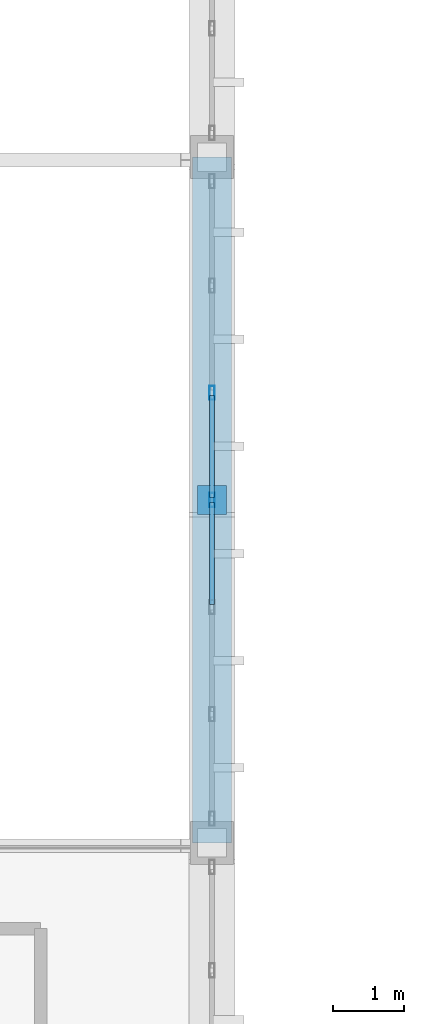
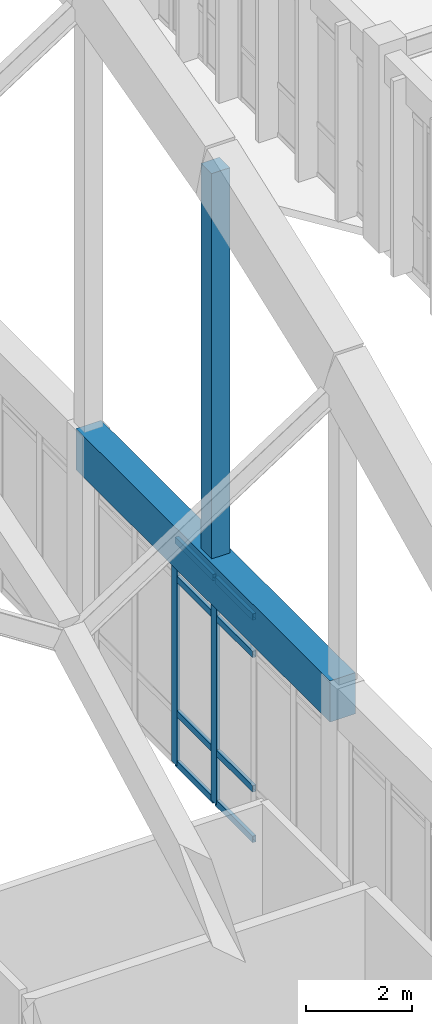
# One storey, part 130 of 236: 11 members, 1 beam, 1 element without a shape of its own.
"""IFC4 building model written with IfcOpenShell, lengths in metres."""

from ifc_helpers import new_model, si_unit, direction, frame, origin, origin_2d, place, context, subcontext, project, spatial, rectangle, hollow_rectangle, extrude, material, layer, layer_set, material_profile, profile_set, type_object, element, aggregate, save


model = new_model("IFC4")

# Units and contexts
model_context = context("Model", 3, precision=1e-05, world=origin(), true_north=direction((0.0, 1.0)))
body_context = subcontext(model_context, "Body", "Model", "MODEL_VIEW")
ifc_project = project(units=[si_unit("LENGTHUNIT", "METRE"), si_unit("AREAUNIT", "SQUARE_METRE"), si_unit("VOLUMEUNIT", "CUBIC_METRE"), si_unit("PLANEANGLEUNIT", "RADIAN"), si_unit("MASSUNIT", "GRAM", prefix="KILO")], contexts=[model_context])

# Site, building, storey
site_placement = place(None, origin())
site = spatial("IfcSite", under=ifc_project, at=site_placement, CompositionType="ELEMENT")
building_placement = place(site_placement, origin())
building = spatial("IfcBuilding", under=site, at=building_placement, Name="Pandanus Reach Market Hall", CompositionType="ELEMENT")
storey_placement = place(building_placement, frame((0.0, 0.0, 5.39990234375)))
storey = spatial("IfcBuildingStorey", under=building, at=storey_placement, Name="L01", CompositionType="ELEMENT", Elevation=5.39990234375)

# Member
ifc_material_1 = material(Name="Concrete N50 (50 MPa)", Category="concrete")
ifc_material_profile_1 = material_profile(ifc_material_1, rectangle(XDim=0.39990234375, YDim=0.39990234375, at=origin_2d()), Name="RC400x400", Category="LoadBearing")
ifc_profile_set_1 = profile_set([ifc_material_profile_1], Name="Concrete N50 (50 MPa)")
member_type_1 = type_object("IfcMemberType", Name="AR-WEB400-E", PredefinedType="STRUT", material=ifc_profile_set_1)
member_1_placement = place(storey_placement, frame((132.0, 43.199951171875, 5.3251953125), z_axis=(0.0, 0.0, 1.0), x_axis=(1.0, 0.0, 0.0)))
element("IfcMember", 1, at=member_1_placement, inside=storey, type_object=member_type_1, Name="Arch truss vertical web strut A8.3", PredefinedType="STRUT", context=body_context, shape_type="SweptSolid", body=[
    extrude(rectangle(XDim=0.39990234375, YDim=0.39990234375, at=origin_2d()), origin(), (0.0, 0.0, 1.0), 9.35498046875),
])

# Beam
ifc_material_profile_2 = material_profile(ifc_material_1, rectangle(XDim=0.550048828125, YDim=0.949951171875, at=origin_2d()), Name="RC550x950", Category="LoadBearing")
ifc_profile_set_2 = profile_set([ifc_material_profile_2], Name="Concrete N50 (50 MPa)")
beam_type = type_object("IfcBeamType", Name="BM-RC550-E", PredefinedType="BEAM", material=ifc_profile_set_2)
beam_placement = place(storey_placement, frame((132.0, 38.39990234375, 5.3251953125), z_axis=(0.0, 1.0, 0.0), x_axis=(-1.0, 0.0, 0.0)))
element("IfcBeam", 2, at=beam_placement, inside=storey, type_object=beam_type, Name="Parabolic arch tie girder A8.2", PredefinedType="BEAM", context=body_context, shape_type="SweptSolid", body=[
    extrude(rectangle(XDim=0.550048828125, YDim=0.949951171875, at=origin_2d()), origin(), (0.0, 0.0, 1.0), 9.60009765625),
])

# Curtain wall, members
ifc_material_2 = material(Name="Bronze anodised aluminium and low-E glass", Category="aluminium")
ifc_layer = layer(ifc_material_2, 0.199951171875, Name="CW-05")
ifc_layer_set = layer_set([ifc_layer], Name="Bronze anodised aluminium and low-E glass")
curtain_wall_type = type_object("IfcCurtainWallType", Name="CW-05", PredefinedType="NOTDEFINED", material=ifc_layer_set)
curtain_wall_placement = place(storey_placement, origin())
curtain_wall = element("IfcCurtainWall", 3, at=curtain_wall_placement, inside=storey, type_object=curtain_wall_type, Name="Glazed curtain wall CW-05 CW-0023", PredefinedType="NOTDEFINED")
ifc_material_3 = material(Name="Bronze anodised aluminium", Category="aluminium")
ifc_material_profile_3 = material_profile(ifc_material_3, hollow_rectangle(XDim=0.074951171875, YDim=0.199951171875, WallThickness=0.00439453125, at=origin_2d()), Name="ALU75x200", Category="LoadBearing")
ifc_profile_set_3 = profile_set([ifc_material_profile_3], Name="Bronze anodised aluminium")
member_type_2 = type_object("IfcMemberType", Name="CW-M2", PredefinedType="MULLION", material=ifc_profile_set_3)
member_2_placement = place(storey_placement, frame((132.0, 43.199951171875, 0.0), z_axis=(0.0, 0.0, 1.0), x_axis=(-1.0, 0.0, 0.0)))
member_2 = element("IfcMember", 4, at=member_2_placement, type_object=member_type_2, Name="CW-05 mullion 4", PredefinedType="MULLION", context=body_context, shape_type="SweptSolid", body=[
    extrude(hollow_rectangle(XDim=0.074951171875, YDim=0.199951171875, WallThickness=0.00439453125, at=origin_2d()), origin(), (0.0, 0.0, 1.0), 5.2001953125),
])
member_3_placement = place(storey_placement, frame((132.0, 44.699951171875, 0.0), z_axis=(0.0, 0.0, 1.0), x_axis=(-1.0, 0.0, 0.0)))
member_3 = element("IfcMember", 5, at=member_3_placement, type_object=member_type_2, Name="CW-05 mullion 5", PredefinedType="MULLION", context=body_context, shape_type="SweptSolid", body=[
    extrude(hollow_rectangle(XDim=0.074951171875, YDim=0.199951171875, WallThickness=0.00439453125, at=origin_2d()), origin(), (0.0, 0.0, 1.0), 5.2001953125),
])
ifc_material_profile_4 = material_profile(ifc_material_3, hollow_rectangle(XDim=0.074951171875, YDim=0.14990234375, WallThickness=0.00439453125, at=origin_2d()), Name="ALU75x150", Category="LoadBearing")
ifc_profile_set_4 = profile_set([ifc_material_profile_4], Name="Bronze anodised aluminium")
member_type_3 = type_object("IfcMemberType", Name="CW-T2", PredefinedType="USERDEFINED", material=ifc_profile_set_4)
member_4_placement = place(storey_placement, frame((132.0, 41.737548828125, 0.03759765625), z_axis=(0.0, 1.0, 0.0), x_axis=(-1.0, 0.0, 0.0)))
member_4 = element("IfcMember", 6, at=member_4_placement, type_object=member_type_3, Name="CW-05 transom 3.1", ObjectType="TRANSOM", PredefinedType="USERDEFINED", context=body_context, shape_type="SweptSolid", body=[
    extrude(hollow_rectangle(XDim=0.074951171875, YDim=0.14990234375, WallThickness=0.00439453125, at=origin_2d()), origin(), (0.0, 0.0, 1.0), 1.425048828125),
])
member_5_placement = place(storey_placement, frame((132.0, 41.737548828125, 1.2001953125), z_axis=(0.0, 1.0, 0.0), x_axis=(-1.0, 0.0, 0.0)))
member_5 = element("IfcMember", 7, at=member_5_placement, type_object=member_type_3, Name="CW-05 transom 3.2", ObjectType="TRANSOM", PredefinedType="USERDEFINED", context=body_context, shape_type="SweptSolid", body=[
    extrude(hollow_rectangle(XDim=0.074951171875, YDim=0.14990234375, WallThickness=0.00439453125, at=origin_2d()), origin(), (0.0, 0.0, 1.0), 1.425048828125),
])
member_6_placement = place(storey_placement, frame((132.0, 41.737548828125, 4.300048828125), z_axis=(0.0, 1.0, 0.0), x_axis=(-1.0, 0.0, 0.0)))
member_6 = element("IfcMember", 8, at=member_6_placement, type_object=member_type_3, Name="CW-05 transom 3.3", ObjectType="TRANSOM", PredefinedType="USERDEFINED", context=body_context, shape_type="SweptSolid", body=[
    extrude(hollow_rectangle(XDim=0.074951171875, YDim=0.14990234375, WallThickness=0.00439453125, at=origin_2d()), origin(), (0.0, 0.0, 1.0), 1.425048828125),
])
member_7_placement = place(storey_placement, frame((132.0, 41.737548828125, 5.16259765625), z_axis=(0.0, 1.0, 0.0), x_axis=(-1.0, 0.0, 0.0)))
member_7 = element("IfcMember", 9, at=member_7_placement, type_object=member_type_3, Name="CW-05 transom 3.4", ObjectType="TRANSOM", PredefinedType="USERDEFINED", context=body_context, shape_type="SweptSolid", body=[
    extrude(hollow_rectangle(XDim=0.074951171875, YDim=0.14990234375, WallThickness=0.00439453125, at=origin_2d()), origin(), (0.0, 0.0, 1.0), 1.425048828125),
])
member_8_placement = place(storey_placement, frame((132.0, 43.237548828125, 0.03759765625), z_axis=(0.0, 1.0, 0.0), x_axis=(-1.0, 0.0, 0.0)))
member_8 = element("IfcMember", 10, at=member_8_placement, type_object=member_type_3, Name="CW-05 transom 4.1", ObjectType="TRANSOM", PredefinedType="USERDEFINED", context=body_context, shape_type="SweptSolid", body=[
    extrude(hollow_rectangle(XDim=0.074951171875, YDim=0.14990234375, WallThickness=0.00439453125, at=origin_2d()), origin(), (0.0, 0.0, 1.0), 1.425048828125),
])
member_9_placement = place(storey_placement, frame((132.0, 43.237548828125, 1.2001953125), z_axis=(0.0, 1.0, 0.0), x_axis=(-1.0, 0.0, 0.0)))
member_9 = element("IfcMember", 11, at=member_9_placement, type_object=member_type_3, Name="CW-05 transom 4.2", ObjectType="TRANSOM", PredefinedType="USERDEFINED", context=body_context, shape_type="SweptSolid", body=[
    extrude(hollow_rectangle(XDim=0.074951171875, YDim=0.14990234375, WallThickness=0.00439453125, at=origin_2d()), origin(), (0.0, 0.0, 1.0), 1.425048828125),
])
member_10_placement = place(storey_placement, frame((132.0, 43.237548828125, 4.300048828125), z_axis=(0.0, 1.0, 0.0), x_axis=(-1.0, 0.0, 0.0)))
member_10 = element("IfcMember", 12, at=member_10_placement, type_object=member_type_3, Name="CW-05 transom 4.3", ObjectType="TRANSOM", PredefinedType="USERDEFINED", context=body_context, shape_type="SweptSolid", body=[
    extrude(hollow_rectangle(XDim=0.074951171875, YDim=0.14990234375, WallThickness=0.00439453125, at=origin_2d()), origin(), (0.0, 0.0, 1.0), 1.425048828125),
])
member_11_placement = place(storey_placement, frame((132.0, 43.237548828125, 5.16259765625), z_axis=(0.0, 1.0, 0.0), x_axis=(-1.0, 0.0, 0.0)))
member_11 = element("IfcMember", 13, at=member_11_placement, type_object=member_type_3, Name="CW-05 transom 4.4", ObjectType="TRANSOM", PredefinedType="USERDEFINED", context=body_context, shape_type="SweptSolid", body=[
    extrude(hollow_rectangle(XDim=0.074951171875, YDim=0.14990234375, WallThickness=0.00439453125, at=origin_2d()), origin(), (0.0, 0.0, 1.0), 1.425048828125),
])
aggregate(curtain_wall, [member_2, member_3, member_4, member_5, member_6, member_7, member_8, member_9, member_10, member_11])

save(model, "model.ifc")
